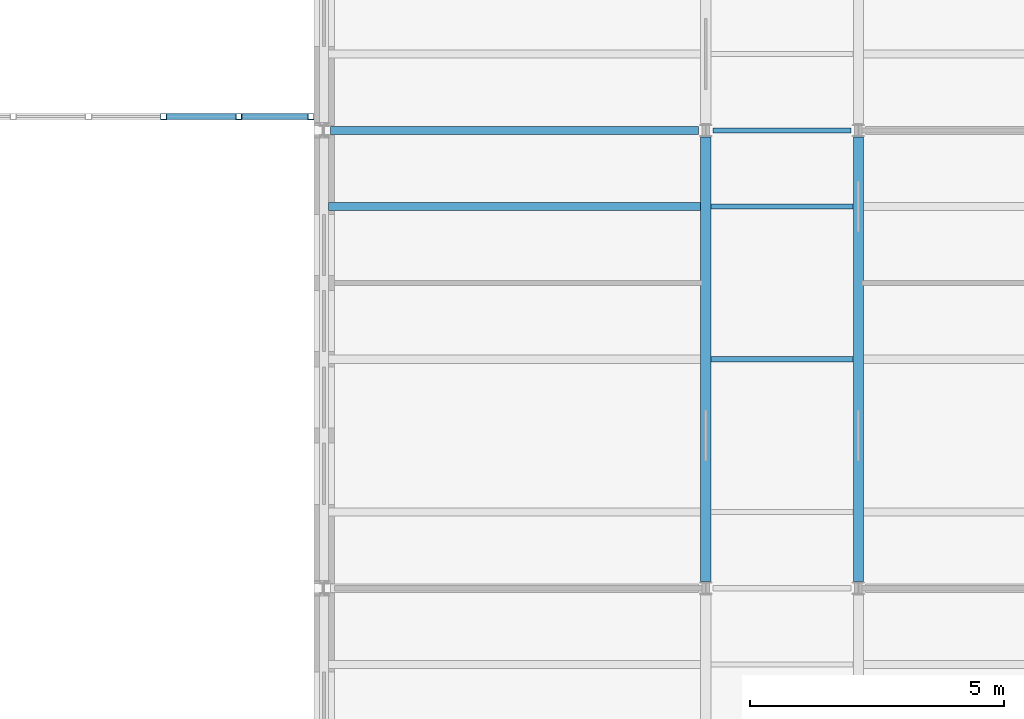
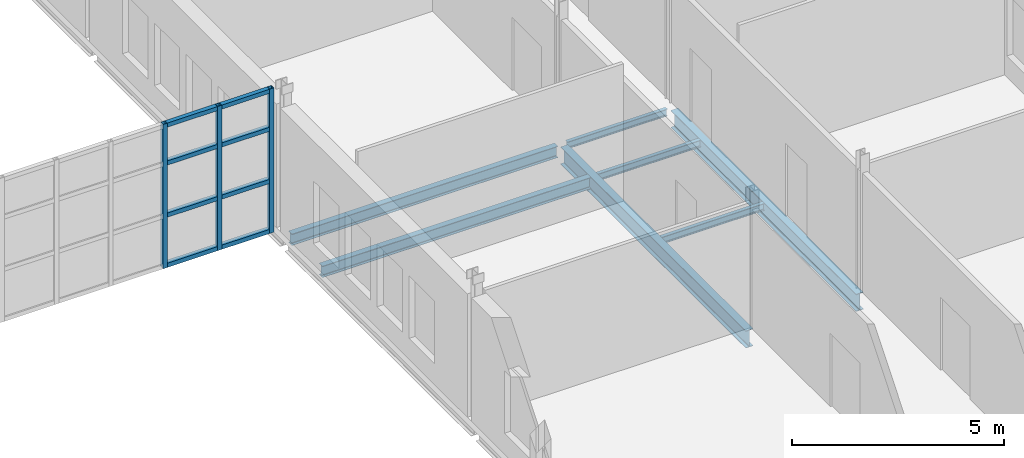
# One storey, part 33 of 154: 11 members, 7 beams, 1 element without a shape of its own.
"""IFC4 building model written with IfcOpenShell, lengths in metres."""

from ifc_helpers import new_model, si_unit, direction, frame, origin, origin_2d, place, context, subcontext, project, spatial, hollow_rectangle, i_section, extrude, material, material_profile, profile_set, type_object, element, aggregate, save


model = new_model("IFC4")

# Units and contexts
model_context = context("Model", 3, precision=1e-05, world=origin(), true_north=direction((0.0, 1.0)))
body_context = subcontext(model_context, "Body", "Model", "MODEL_VIEW")
ifc_project = project(units=[si_unit("LENGTHUNIT", "METRE"), si_unit("AREAUNIT", "SQUARE_METRE"), si_unit("VOLUMEUNIT", "CUBIC_METRE"), si_unit("PLANEANGLEUNIT", "RADIAN"), si_unit("MASSUNIT", "GRAM", prefix="KILO")], contexts=[model_context])

# Site, building, storey
site_placement = place(None, origin())
site = spatial("IfcSite", under=ifc_project, at=site_placement, CompositionType="ELEMENT")
building_placement = place(site_placement, origin())
building = spatial("IfcBuilding", under=site, at=building_placement, Name="Golden Quay Civic Hall", CompositionType="ELEMENT")
storey_placement = place(building_placement, frame((0.0, 0.0, 14.39990234375)))
storey = spatial("IfcBuildingStorey", under=building, at=storey_placement, Name="L03", CompositionType="ELEMENT", Elevation=14.39990234375)

# Curtain wall, members
ifc_material_1 = material(Name="Fire-resisting glass and steel", Category="steel")
curtain_wall_type = type_object("IfcCurtainWallType", Name="Fire-resisting glazed curtain wall EI 120", PredefinedType="NOTDEFINED", material=ifc_material_1)
curtain_wall_placement = place(storey_placement, origin())
curtain_wall = element("IfcCurtainWall", 1, at=curtain_wall_placement, inside=storey, type_object=curtain_wall_type, Name="CW3 curtain wall", PredefinedType="NOTDEFINED")
ifc_material_2 = material(Name="Steel S355", Category="steel")
ifc_material_profile_1 = material_profile(ifc_material_2, hollow_rectangle(XDim=0.1201171875, YDim=0.1201171875, WallThickness=0.008056640625, at=origin_2d()), Name="SHS 120x120x8")
ifc_profile_set_1 = profile_set([ifc_material_profile_1], Name="Steel S355")
member_type_1 = type_object("IfcMemberType", Name="Fire-resisting steel mullion SHS 120x120x8", PredefinedType="MULLION", material=ifc_profile_set_1)
member_1_placement = place(storey_placement, frame((95.844482421875, 36.27001953125, -0.199951171875), z_axis=(0.0, 0.0, 1.0), x_axis=(0.0, 1.0, 0.0)))
member_1 = element("IfcMember", 2, at=member_1_placement, type_object=member_type_1, Name="CW3 mullion 17", PredefinedType="MULLION", context=body_context, shape_type="SweptSolid", body=[
    extrude(hollow_rectangle(XDim=0.1201171875, YDim=0.1201171875, WallThickness=0.008056640625, at=origin_2d()), origin(), (0.0, 0.0, 1.0), 4.150146484375),
])
member_2_placement = place(storey_placement, frame((97.322265625, 36.27001953125, -0.199951171875), z_axis=(0.0, 0.0, 1.0), x_axis=(0.0, 1.0, 0.0)))
member_2 = element("IfcMember", 3, at=member_2_placement, type_object=member_type_1, Name="CW3 mullion 18", PredefinedType="MULLION", context=body_context, shape_type="SweptSolid", body=[
    extrude(hollow_rectangle(XDim=0.1201171875, YDim=0.1201171875, WallThickness=0.008056640625, at=origin_2d()), origin(), (0.0, 0.0, 1.0), 4.150146484375),
])
member_3_placement = place(storey_placement, frame((98.739990234375, 36.27001953125, -0.199951171875), z_axis=(0.0, 0.0, 1.0), x_axis=(0.0, 1.0, 0.0)))
member_3 = element("IfcMember", 4, at=member_3_placement, type_object=member_type_1, Name="CW3 mullion 19", PredefinedType="MULLION", context=body_context, shape_type="SweptSolid", body=[
    extrude(hollow_rectangle(XDim=0.1201171875, YDim=0.1201171875, WallThickness=0.008056640625, at=origin_2d()), origin(), (0.0, 0.0, 1.0), 4.150146484375),
])
ifc_material_3 = material(Name="Steel S355", Category="steel")
ifc_material_profile_2 = material_profile(ifc_material_3, hollow_rectangle(XDim=0.1201171875, YDim=0.1201171875, WallThickness=0.008056640625, at=origin_2d()), Name="SHS 120x120x8")
ifc_profile_set_2 = profile_set([ifc_material_profile_2], Name="Steel S355")
member_type_2 = type_object("IfcMemberType", Name="Fire-resisting steel transom SHS 120x120x8", PredefinedType="USERDEFINED", material=ifc_profile_set_2)
member_4_placement = place(storey_placement, frame((95.904541015625, 36.27001953125, -0.139892578125), z_axis=(1.0, 0.0, 0.0), x_axis=(0.0, 1.0, 0.0)))
member_4 = element("IfcMember", 5, at=member_4_placement, type_object=member_type_2, Name="CW3 transom 17.1", ObjectType="TRANSOM", PredefinedType="USERDEFINED", context=body_context, shape_type="SweptSolid", body=[
    extrude(hollow_rectangle(XDim=0.1201171875, YDim=0.1201171875, WallThickness=0.008056640625, at=origin_2d()), origin(), (0.0, 0.0, 1.0), 1.357666015625),
])
member_5_placement = place(storey_placement, frame((95.904541015625, 36.27001953125, 1.300048828125), z_axis=(1.0, 0.0, 0.0), x_axis=(0.0, 1.0, 0.0)))
member_5 = element("IfcMember", 6, at=member_5_placement, type_object=member_type_2, Name="CW3 transom 17.2", ObjectType="TRANSOM", PredefinedType="USERDEFINED", context=body_context, shape_type="SweptSolid", body=[
    extrude(hollow_rectangle(XDim=0.1201171875, YDim=0.1201171875, WallThickness=0.008056640625, at=origin_2d()), origin(), (0.0, 0.0, 1.0), 1.357666015625),
])
member_6_placement = place(storey_placement, frame((95.904541015625, 36.27001953125, 2.800048828125), z_axis=(1.0, 0.0, 0.0), x_axis=(0.0, 1.0, 0.0)))
member_6 = element("IfcMember", 7, at=member_6_placement, type_object=member_type_2, Name="CW3 transom 17.3", ObjectType="TRANSOM", PredefinedType="USERDEFINED", context=body_context, shape_type="SweptSolid", body=[
    extrude(hollow_rectangle(XDim=0.1201171875, YDim=0.1201171875, WallThickness=0.008056640625, at=origin_2d()), origin(), (0.0, 0.0, 1.0), 1.357666015625),
])
member_7_placement = place(storey_placement, frame((95.904541015625, 36.27001953125, 3.89013671875), z_axis=(1.0, 0.0, 0.0), x_axis=(0.0, 1.0, 0.0)))
member_7 = element("IfcMember", 8, at=member_7_placement, type_object=member_type_2, Name="CW3 transom 17.4", ObjectType="TRANSOM", PredefinedType="USERDEFINED", context=body_context, shape_type="SweptSolid", body=[
    extrude(hollow_rectangle(XDim=0.1201171875, YDim=0.1201171875, WallThickness=0.008056640625, at=origin_2d()), origin(), (0.0, 0.0, 1.0), 1.357666015625),
])
member_8_placement = place(storey_placement, frame((97.38232421875, 36.27001953125, -0.139892578125), z_axis=(1.0, 0.0, 0.0), x_axis=(0.0, 1.0, 0.0)))
member_8 = element("IfcMember", 9, at=member_8_placement, type_object=member_type_2, Name="CW3 transom 18.1", ObjectType="TRANSOM", PredefinedType="USERDEFINED", context=body_context, shape_type="SweptSolid", body=[
    extrude(hollow_rectangle(XDim=0.1201171875, YDim=0.1201171875, WallThickness=0.008056640625, at=origin_2d()), origin(), (0.0, 0.0, 1.0), 1.297607421875),
])
member_9_placement = place(storey_placement, frame((97.38232421875, 36.27001953125, 1.300048828125), z_axis=(1.0, 0.0, 0.0), x_axis=(0.0, 1.0, 0.0)))
member_9 = element("IfcMember", 10, at=member_9_placement, type_object=member_type_2, Name="CW3 transom 18.2", ObjectType="TRANSOM", PredefinedType="USERDEFINED", context=body_context, shape_type="SweptSolid", body=[
    extrude(hollow_rectangle(XDim=0.1201171875, YDim=0.1201171875, WallThickness=0.008056640625, at=origin_2d()), origin(), (0.0, 0.0, 1.0), 1.297607421875),
])
member_10_placement = place(storey_placement, frame((97.38232421875, 36.27001953125, 2.800048828125), z_axis=(1.0, 0.0, 0.0), x_axis=(0.0, 1.0, 0.0)))
member_10 = element("IfcMember", 11, at=member_10_placement, type_object=member_type_2, Name="CW3 transom 18.3", ObjectType="TRANSOM", PredefinedType="USERDEFINED", context=body_context, shape_type="SweptSolid", body=[
    extrude(hollow_rectangle(XDim=0.1201171875, YDim=0.1201171875, WallThickness=0.008056640625, at=origin_2d()), origin(), (0.0, 0.0, 1.0), 1.297607421875),
])
member_11_placement = place(storey_placement, frame((97.38232421875, 36.27001953125, 3.89013671875), z_axis=(1.0, 0.0, 0.0), x_axis=(0.0, 1.0, 0.0)))
member_11 = element("IfcMember", 12, at=member_11_placement, type_object=member_type_2, Name="CW3 transom 18.4", ObjectType="TRANSOM", PredefinedType="USERDEFINED", context=body_context, shape_type="SweptSolid", body=[
    extrude(hollow_rectangle(XDim=0.1201171875, YDim=0.1201171875, WallThickness=0.008056640625, at=origin_2d()), origin(), (0.0, 0.0, 1.0), 1.297607421875),
])
aggregate(curtain_wall, [member_1, member_2, member_3, member_4, member_5, member_6, member_7, member_8, member_9, member_10, member_11])

# Beams
ifc_material_4 = material(Name="Steel S355", Category="steel")
ifc_material_profile_3 = material_profile(ifc_material_4, i_section(OverallWidth=0.10009765625, OverallDepth=0.199951171875, WebThickness=0.005615234375, FlangeThickness=0.008544921875, FilletRadius=0.011962890625, at=origin_2d()), Name="IPE 200")
ifc_profile_set_3 = profile_set([ifc_material_profile_3], Name="Steel S355")
beam_type_1 = type_object("IfcBeamType", Name="Steel beam IPE 200", PredefinedType="BEAM", material=ifc_profile_set_3)
beam_1_placement = place(storey_placement, frame((106.639892578125, 36.0, -0.2998046875), z_axis=(1.0, 0.0, 0.0), x_axis=(0.0, 1.0, 0.0)))
element("IfcBeam", 13, at=beam_1_placement, inside=storey, type_object=beam_type_1, Name="Beam S36-106.5", PredefinedType="BEAM", context=body_context, shape_type="SweptSolid", body=[
    extrude(i_section(OverallWidth=0.10009765625, OverallDepth=0.199951171875, WebThickness=0.005615234375, FlangeThickness=0.008544921875, FilletRadius=0.011962890625, at=origin_2d()), origin(), (0.0, 0.0, 1.0), 2.72021484375),
])
ifc_material_5 = material(Name="Steel S355", Category="steel")
ifc_material_profile_4 = material_profile(ifc_material_5, i_section(OverallWidth=0.159912109375, OverallDepth=0.330078125, WebThickness=0.007568359375, FlangeThickness=0.011474609375, FilletRadius=0.01806640625, at=origin_2d()), Name="IPE 330")
ifc_profile_set_4 = profile_set([ifc_material_profile_4], Name="Steel S355")
beam_type_2 = type_object("IfcBeamType", Name="Steel beam IPE 330", PredefinedType="BEAM", material=ifc_profile_set_4)
beam_2_placement = place(storey_placement, frame((99.1201171875, 36.0, -0.364990234375), z_axis=(1.0, 0.0, 0.0), x_axis=(0.0, 1.0, 0.0)))
element("IfcBeam", 14, at=beam_2_placement, inside=storey, type_object=beam_type_2, Name="Beam S36-99", PredefinedType="BEAM", context=body_context, shape_type="SweptSolid", body=[
    extrude(i_section(OverallWidth=0.159912109375, OverallDepth=0.330078125, WebThickness=0.007568359375, FlangeThickness=0.011474609375, FilletRadius=0.01806640625, at=origin_2d()), origin(), (0.0, 0.0, 1.0), 7.239990234375),
])
ifc_material_6 = material(Name="Steel S355", Category="steel")
ifc_material_profile_5 = material_profile(ifc_material_6, i_section(OverallWidth=0.199951171875, OverallDepth=0.5, WebThickness=0.01025390625, FlangeThickness=0.01611328125, FilletRadius=0.02099609375, at=origin_2d()), Name="IPE 500")
ifc_profile_set_5 = profile_set([ifc_material_profile_5], Name="Steel S355")
beam_type_3 = type_object("IfcBeamType", Name="Steel beam IPE 500", PredefinedType="BEAM", material=ifc_profile_set_5)
for number, where, z_axis, x_axis, name in (
    (15, (106.5, 27.135009765625, -0.449951171875), (0.0, 1.0, 0.0), (-1.0, 0.0, 0.0), "Beam L106.5-27"),
    (16, (109.5, 27.135009765625, -0.449951171875), (0.0, 1.0, 0.0), (-1.0, 0.0, 0.0), "Beam L109.5-27"),
):
    element("IfcBeam", number, at=place(storey_placement, frame(where, z_axis=z_axis, x_axis=x_axis)), inside=storey, type_object=beam_type_3, Name=name, PredefinedType="BEAM", context=body_context, shape_type="SweptSolid", body=[
        extrude(i_section(OverallWidth=0.199951171875, OverallDepth=0.5, WebThickness=0.01025390625, FlangeThickness=0.01611328125, FilletRadius=0.02099609375, at=origin_2d()), origin(), (0.0, 0.0, 1.0), 8.72998046875),
    ])
ifc_material_7 = material(Name="Steel S355", Category="steel")
ifc_material_profile_6 = material_profile(ifc_material_7, i_section(OverallWidth=0.10009765625, OverallDepth=0.199951171875, WebThickness=0.005615234375, FlangeThickness=0.008544921875, FilletRadius=0.011962890625, at=origin_2d()), Name="IPE 200")
ifc_profile_set_6 = profile_set([ifc_material_profile_6], Name="Steel S355")
beam_type_4 = type_object("IfcBeamType", Name="Steel joist IPE 200", PredefinedType="JOIST", material=ifc_profile_set_6)
for number, where, z_axis, x_axis, name in (
    (17, (106.60009765625, 31.5, -0.2998046875), (1.0, 0.0, 0.0), (0.0, 1.0, 0.0), "Joist J31.5-106.5"),
    (18, (106.60009765625, 34.5, -0.2998046875), (1.0, 0.0, 0.0), (0.0, 1.0, 0.0), "Joist J34.5-106.5"),
):
    element("IfcBeam", number, at=place(storey_placement, frame(where, z_axis=z_axis, x_axis=x_axis)), inside=storey, type_object=beam_type_4, Name=name, PredefinedType="JOIST", context=body_context, shape_type="SweptSolid", body=[
        extrude(i_section(OverallWidth=0.10009765625, OverallDepth=0.199951171875, WebThickness=0.005615234375, FlangeThickness=0.008544921875, FilletRadius=0.011962890625, at=origin_2d()), origin(), (0.0, 0.0, 1.0), 2.7998046875),
    ])
ifc_material_8 = material(Name="Steel S355", Category="steel")
ifc_material_profile_7 = material_profile(ifc_material_8, i_section(OverallWidth=0.159912109375, OverallDepth=0.330078125, WebThickness=0.007568359375, FlangeThickness=0.011474609375, FilletRadius=0.01806640625, at=origin_2d()), Name="IPE 330")
ifc_profile_set_7 = profile_set([ifc_material_profile_7], Name="Steel S355")
beam_type_5 = type_object("IfcBeamType", Name="Steel joist IPE 330", PredefinedType="JOIST", material=ifc_profile_set_7)
beam_3_placement = place(storey_placement, frame((99.090087890625, 34.5, -0.364990234375), z_axis=(1.0, 0.0, 0.0), x_axis=(0.0, 1.0, 0.0)))
element("IfcBeam", 19, at=beam_3_placement, inside=storey, type_object=beam_type_5, Name="Joist J34.5-99", PredefinedType="JOIST", context=body_context, shape_type="SweptSolid", body=[
    extrude(i_section(OverallWidth=0.159912109375, OverallDepth=0.330078125, WebThickness=0.007568359375, FlangeThickness=0.011474609375, FilletRadius=0.01806640625, at=origin_2d()), origin(), (0.0, 0.0, 1.0), 7.309814453125),
])

save(model, "model.ifc")
